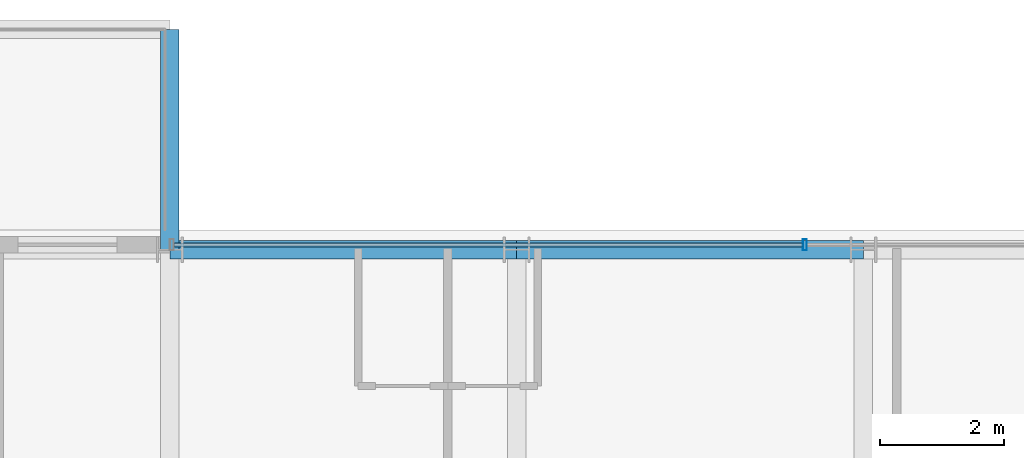
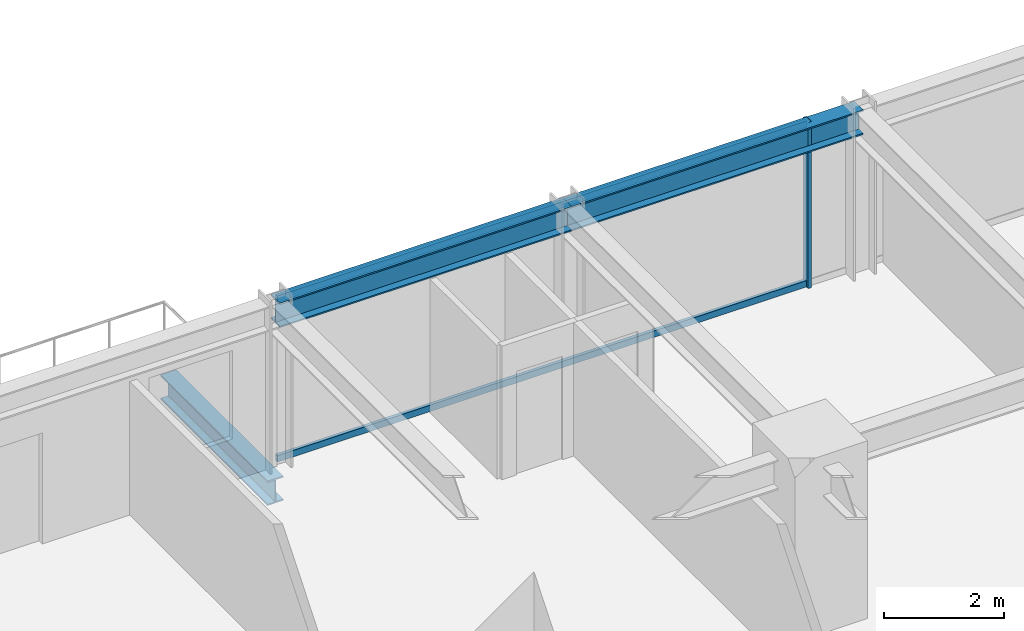
# One storey, part 23 of 36: 3 beams, 3 members, 1 element without a shape of its own.
"""IFC4 building model written with IfcOpenShell, lengths in metres."""

from ifc_helpers import new_model, si_unit, direction, frame, origin, origin_2d, place, context, subcontext, project, spatial, hollow_rectangle, i_section, extrude, source, transform, mapped, material, material_profile, profile_set, type_object, element, aggregate, save


model = new_model("IFC4")

# Units and contexts
model_context = context("Model", 3, precision=1e-05, world=origin(), true_north=direction((0.0, 1.0)))
body_context = subcontext(model_context, "Body", "Model", "MODEL_VIEW")
ifc_project = project(units=[si_unit("LENGTHUNIT", "METRE"), si_unit("AREAUNIT", "SQUARE_METRE"), si_unit("VOLUMEUNIT", "CUBIC_METRE"), si_unit("PLANEANGLEUNIT", "RADIAN"), si_unit("MASSUNIT", "GRAM", prefix="KILO")], contexts=[model_context])

# Site, building, storey
site_placement = place(None, origin())
site = spatial("IfcSite", under=ifc_project, at=site_placement, CompositionType="ELEMENT")
building_placement = place(site_placement, origin())
building = spatial("IfcBuilding", under=site, at=building_placement, Name="Nahalor Promenade Grand Hotel", CompositionType="ELEMENT")
storey_placement = place(building_placement, frame((0.0, 0.0, 76.199951171875)))
storey = spatial("IfcBuildingStorey", under=building, at=storey_placement, Name="L18", CompositionType="ELEMENT", Elevation=76.199951171875)

# Beams
ifc_material_1 = material(Name="Steel S355JR", Category="steel")
ifc_material_profile_1 = material_profile(ifc_material_1, i_section(OverallWidth=0.3, OverallDepth=0.5, WebThickness=0.0145, FlangeThickness=0.028, at=origin_2d()), Name="HEB 500")
ifc_profile_set_1 = profile_set([ifc_material_profile_1], Name="Steel S355JR")
beam_type_1 = type_object("IfcBeamType", Name="Beam-Outrigger-HEB500", PredefinedType="BEAM", material=ifc_profile_set_1)
shared_shape_1 = source(origin(), body_context, "Body", "SweptSolid", [
    extrude(i_section(OverallWidth=0.3, OverallDepth=0.5, WebThickness=0.0145, FlangeThickness=0.028, at=origin_2d()), origin(), (0.0, 0.0, 1.0), 3.559814453125),
])
beam_1_placement = place(storey_placement, frame((-8.39990234375, 25.080078125, -0.530029296875), z_axis=(0.0, 1.0, 0.0), x_axis=(-1.0, 0.0, 0.0)))
element("IfcBeam", 1, at=beam_1_placement, inside=storey, type_object=beam_type_1, Name="BM-L18-BC-01-2", PredefinedType="BEAM", context=body_context, shape_type="MappedRepresentation", body=[
    mapped(shared_shape_1, transform((0.0, 0.0, 0.0), scale=1.0)),
])
ifc_material_profile_2 = material_profile(ifc_material_1, i_section(OverallWidth=0.3, OverallDepth=0.5, WebThickness=0.0145, FlangeThickness=0.028, at=origin_2d()), Name="HEB 500")
ifc_profile_set_2 = profile_set([ifc_material_profile_2], Name="Steel S355JR")
beam_type_2 = type_object("IfcBeamType", Name="Beam-Spandrel-HEB500", PredefinedType="SPANDREL", material=ifc_profile_set_2)
shared_shape_2 = source(origin(), body_context, "Body", "SweptSolid", [
    extrude(i_section(OverallWidth=0.3, OverallDepth=0.5, WebThickness=0.0145, FlangeThickness=0.028, at=origin_2d()), origin(), (0.0, 0.0, 1.0), 5.599853515625),
])
beam_2_placement = place(storey_placement, frame((-8.39990234375, 25.080078125, 3.1201171875), z_axis=(1.0, 0.0, 0.0), x_axis=(0.0, 1.0, 0.0)))
element("IfcBeam", 2, at=beam_2_placement, inside=storey, type_object=beam_type_2, Name="BM-L18-SP-N-1", PredefinedType="SPANDREL", context=body_context, shape_type="MappedRepresentation", body=[
    mapped(shared_shape_2, transform((0.0, 0.0, 0.0), scale=1.0)),
])
shared_shape_3 = source(origin(), body_context, "Body", "SweptSolid", [
    extrude(i_section(OverallWidth=0.3, OverallDepth=0.5, WebThickness=0.0145, FlangeThickness=0.028, at=origin_2d()), origin(), (0.0, 0.0, 1.0), 5.60009765625),
])
beam_3_placement = place(storey_placement, frame((-2.800048828125, 25.080078125, 3.1201171875), z_axis=(1.0, 0.0, 0.0), x_axis=(0.0, 1.0, 0.0)))
element("IfcBeam", 3, at=beam_3_placement, inside=storey, type_object=beam_type_2, Name="BM-L18-SP-N-2", PredefinedType="SPANDREL", context=body_context, shape_type="MappedRepresentation", body=[
    mapped(shared_shape_3, transform((0.0, 0.0, 0.0), scale=1.0)),
])

# Curtain wall, members
ifc_material_2 = material(Name="Anodised Bronze Aluminium EN AW-6063 T6", Category="aluminium")
curtain_wall_type = type_object("IfcCurtainWallType", Name="CW2 Typical Hotel Flush Bronze Unitised Curtain Wall", PredefinedType="USERDEFINED", material=ifc_material_2)
curtain_wall_placement = place(storey_placement, origin())
curtain_wall = element("IfcCurtainWall", 4, at=curtain_wall_placement, inside=storey, type_object=curtain_wall_type, Name="L18 Curtain Wall CW-L18-N-3", ObjectType="UNITISED_CURTAIN_WALL", PredefinedType="USERDEFINED")
ifc_material_profile_3 = material_profile(ifc_material_2, hollow_rectangle(XDim=0.065, YDim=0.18, WallThickness=0.004, at=origin_2d()), Name="CWM 65x180x4")
ifc_profile_set_3 = profile_set([ifc_material_profile_3], Name="Anodised Bronze Aluminium EN AW-6063 T6")
member_type_1 = type_object("IfcMemberType", Name="CWM2 Typical Bronze Mullion 65x180", PredefinedType="MULLION", material=ifc_profile_set_3)
shared_shape_4 = source(origin(), body_context, "Body", "SweptSolid", [
    extrude(hollow_rectangle(XDim=0.065, YDim=0.18, WallThickness=0.004, at=origin_2d()), origin(), (0.0, 0.0, 1.0), 3.3701171875),
])
member_1_placement = place(storey_placement, frame((1.853271484375, 25.159912109375, 0.0), z_axis=(0.0, 0.0, 1.0), x_axis=(1.0, 0.0, 0.0)))
member_1 = element("IfcMember", 5, at=member_1_placement, type_object=member_type_1, Name="CW-L18-N-3 Mullion 1", PredefinedType="MULLION", context=body_context, shape_type="MappedRepresentation", body=[
    mapped(shared_shape_4, transform((0.0, 0.0, 0.0), scale=1.0)),
])
ifc_material_profile_4 = material_profile(ifc_material_2, hollow_rectangle(XDim=0.065, YDim=0.13, WallThickness=0.004, at=origin_2d()), Name="CWT 65x130x4")
ifc_profile_set_4 = profile_set([ifc_material_profile_4], Name="Anodised Bronze Aluminium EN AW-6063 T6")
member_type_2 = type_object("IfcMemberType", Name="CWT2 Typical Bronze Transom 65x130", PredefinedType="USERDEFINED", material=ifc_profile_set_4)
shared_shape_5 = source(origin(), body_context, "Body", "SweptSolid", [
    extrude(hollow_rectangle(XDim=0.065, YDim=0.13, WallThickness=0.004, at=origin_2d()), origin(), (0.0, 0.0, 1.0), 10.15576171875),
])
member_2_placement = place(storey_placement, frame((-8.3349609375, 25.159912109375, 0.06494140625), z_axis=(1.0, 0.0, 0.0), x_axis=(0.0, 1.0, 0.0)))
member_2 = element("IfcMember", 6, at=member_2_placement, type_object=member_type_2, Name="CW-L18-N-3 Transom 0-0", ObjectType="TRANSOM", PredefinedType="USERDEFINED", context=body_context, shape_type="MappedRepresentation", body=[
    mapped(shared_shape_5, transform((0.0, 0.0, 0.0), scale=1.0)),
])
member_3_placement = place(storey_placement, frame((-8.3349609375, 25.159912109375, 3.304931640625), z_axis=(1.0, 0.0, 0.0), x_axis=(0.0, 1.0, 0.0)))
member_3 = element("IfcMember", 7, at=member_3_placement, type_object=member_type_2, Name="CW-L18-N-3 Transom 0-1", ObjectType="TRANSOM", PredefinedType="USERDEFINED", context=body_context, shape_type="MappedRepresentation", body=[
    mapped(shared_shape_5, transform((0.0, 0.0, 0.0), scale=1.0)),
])
aggregate(curtain_wall, [member_1, member_2, member_3])

save(model, "model.ifc")
